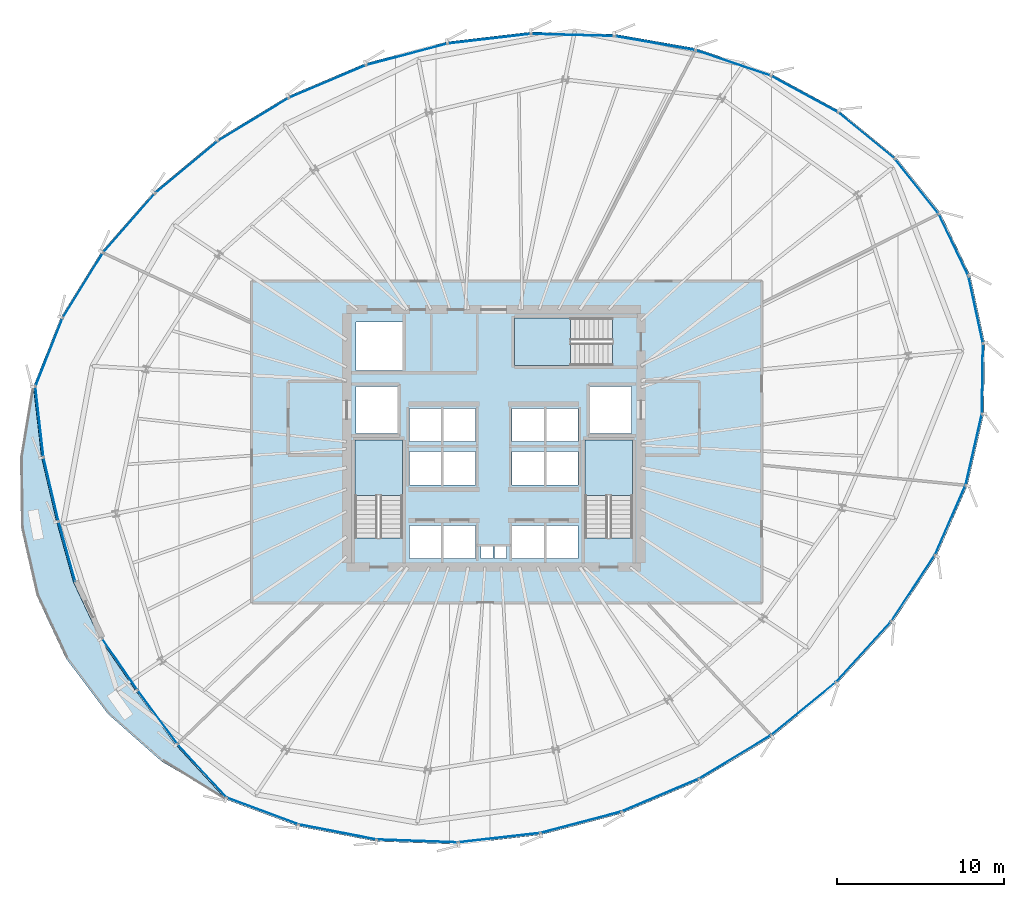
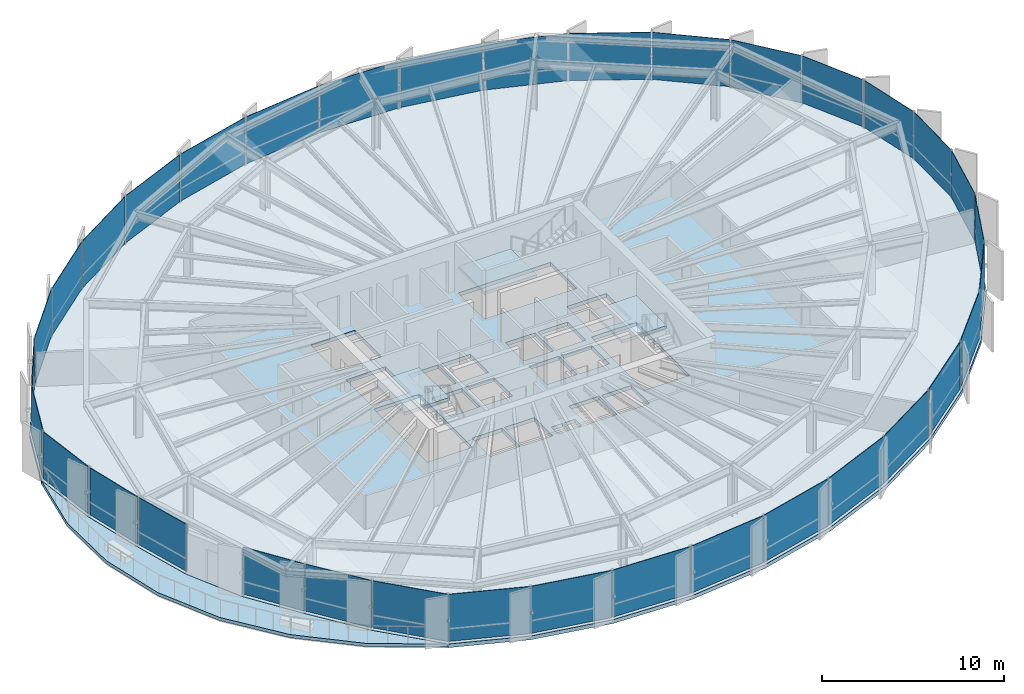
# One storey, part 26 of 33: 35 plates, 5 slabs, 9 elements without a shape of their own.
"""IFC4 building model written with IfcOpenShell, lengths in metres."""

from ifc_helpers import new_model, si_unit, direction, frame, origin, origin_2d, place, context, subcontext, project, spatial, polyline, rectangle, outline, extrude, source, transform, mapped, material, layer, layer_set, type_object, element, aggregate, save


model = new_model("IFC4")

# Units and contexts
model_context = context("Model", 3, precision=1e-05, world=origin(), true_north=direction((0.0, 1.0)))
body_context = subcontext(model_context, "Body", "Model", "MODEL_VIEW")
ifc_project = project(units=[si_unit("LENGTHUNIT", "METRE"), si_unit("AREAUNIT", "SQUARE_METRE"), si_unit("VOLUMEUNIT", "CUBIC_METRE"), si_unit("PLANEANGLEUNIT", "RADIAN"), si_unit("MASSUNIT", "GRAM", prefix="KILO"), si_unit("THERMODYNAMICTEMPERATUREUNIT", "KELVIN")], contexts=[model_context])

# Site, building, storey
site_placement = place(None, origin())
site = spatial("IfcSite", under=ifc_project, at=site_placement, CompositionType="ELEMENT")
building_placement = place(site_placement, origin())
building = spatial("IfcBuilding", under=site, at=building_placement, Name="Kethvar Cultural Tower", CompositionType="ELEMENT")
storey_placement = place(building_placement, frame((0.0, 0.0, 110.800048828125)))
storey = spatial("IfcBuildingStorey", under=building, at=storey_placement, Name="L27", CompositionType="ELEMENT", Elevation=110.800048828125)

# Stair, slab
ifc_material_1 = material(Name="Concrete C40/50", Category="concrete")
stair_type = type_object("IfcStairType", Name="ST-DOGLEG-135", PredefinedType="HALF_TURN_STAIR", material=ifc_material_1)
stair_1_placement = place(storey_placement, origin())
stair_1 = element("IfcStair", 1, at=stair_1_placement, inside=storey, type_object=stair_type, Name="L27 Core Exit Stair 1", PredefinedType="HALF_TURN_STAIR")
ifc_layer_1 = layer(ifc_material_1, 0.199951171875, Name="Concrete C40/50", Category="concrete")
ifc_layer_set_1 = layer_set([ifc_layer_1], Name="Concrete C40/50 (200 mm)")
slab_type_1 = type_object("IfcSlabType", Name="SL-STAIR-LANDING-200", PredefinedType="LANDING", material=ifc_layer_set_1)
slab_1_placement = place(storey_placement, frame((0.0, 0.0, 1.599853515625)))
slab_1 = element("IfcSlab", 2, at=slab_1_placement, type_object=slab_type_1, Name="ST-01 landing 1", PredefinedType="LANDING", context=body_context, shape_type="SweptSolid", body=[
    extrude(outline(polyline([(41.35009765625, 24.3701171875), (41.35009765625, 27.699951171875), (38.489990234375, 27.699951171875), (38.489990234375, 24.3701171875), (41.35009765625, 24.3701171875)])), origin(), (0.0, 0.0, 1.0), 0.2001953125),
])
aggregate(stair_1, [slab_1])

stair_2_placement = place(storey_placement, origin())
stair_2 = element("IfcStair", 3, at=stair_2_placement, inside=storey, type_object=stair_type, Name="L27 Core Exit Stair 2", PredefinedType="HALF_TURN_STAIR")
slab_2_placement = place(storey_placement, frame((0.0, 0.0, 1.599853515625)))
slab_2 = element("IfcSlab", 4, at=slab_2_placement, type_object=slab_type_1, Name="ST-02 landing 1", PredefinedType="LANDING", context=body_context, shape_type="SweptSolid", body=[
    extrude(outline(polyline([(55.110107421875, 24.3701171875), (55.110107421875, 27.699951171875), (52.25, 27.699951171875), (52.25, 24.3701171875), (55.110107421875, 24.3701171875)])), origin(), (0.0, 0.0, 1.0), 0.2001953125),
])
aggregate(stair_2, [slab_2])

stair_3_placement = place(storey_placement, origin())
stair_3 = element("IfcStair", 5, at=stair_3_placement, inside=storey, type_object=stair_type, Name="L27 Core Exit Stair 3", PredefinedType="HALF_TURN_STAIR")
slab_3_placement = place(storey_placement, frame((0.0, 0.0, 1.599853515625)))
slab_3 = element("IfcSlab", 6, at=slab_3_placement, type_object=slab_type_1, Name="ST-03 landing 1", PredefinedType="LANDING", context=body_context, shape_type="SweptSolid", body=[
    extrude(outline(polyline([(51.3798828125, 35.010009765625), (48.050048828125, 35.010009765625), (48.050048828125, 32.14990234375), (51.3798828125, 32.14990234375), (51.3798828125, 35.010009765625)])), origin(), (0.0, 0.0, 1.0), 0.2001953125),
])
aggregate(stair_3, [slab_3])

# Slabs
ifc_layer_2 = layer(ifc_material_1, 0.215087890625, Name="Concrete C40/50", Category="concrete")
ifc_layer_set_2 = layer_set([ifc_layer_2], Name="Concrete C40/50 (215 mm)")
slab_type_2 = type_object("IfcSlabType", Name="SL-TER-EXT", PredefinedType="FLOOR", material=ifc_layer_set_2)
slab_4_placement = place(storey_placement, frame((0.0, 0.0, -0.215087890625)))
element("IfcSlab", 7, at=slab_4_placement, inside=storey, type_object=slab_type_2, Name="L27 Spiralling Sky Terrace Deck", PredefinedType="FLOOR", context=body_context, shape_type="SweptSolid", body=[
    extrude(outline(polyline([(19.264892578125, 30.902099609375), (18.46240234375, 26.668701171875), (18.52099609375, 22.469482421875), (19.43896484375, 18.43212890625), (21.18798828125, 14.6796875), (23.715576171875, 11.32568359375), (26.9443359375, 8.472412109375), (30.7763671875, 6.2060546875), (27.7939453125, 9.4462890625), (25.398193359375, 12.683349609375), (23.245361328125, 15.815185546875), (21.662109375, 19.193359375), (20.656982421875, 22.803955078125), (19.754638671875, 26.643798828125), (19.264892578125, 30.902099609375)])), origin(), (0.0, 0.0, 1.0), 0.215087890625),
])
ifc_layer_3 = layer(ifc_material_1, 0.25, Name="Concrete C40/50", Category="concrete")
ifc_layer_set_3 = layer_set([ifc_layer_3], Name="Concrete C40/50 (250 mm)")
slab_type_3 = type_object("IfcSlabType", Name="SL-TOW-250", PredefinedType="FLOOR", material=ifc_layer_set_3)
slab_5_placement = place(storey_placement, frame((0.0, 0.0, -0.25)))
element("IfcSlab", 8, at=slab_5_placement, inside=storey, type_object=slab_type_3, Name="L27 Structural Floor Slab", PredefinedType="FLOOR", context=body_context, shape_type="SweptSolid", body=[
    extrude(outline(polyline([(75.29638671875, 37.556396484375), (73.504638671875, 41.29443359375), (70.856201171875, 44.607177734375), (67.447998046875, 47.39892578125), (63.40673828125, 49.593505859375), (58.880615234375, 51.132568359375), (54.030517578125, 51.9775390625), (49.019287109375, 52.10791015625), (44.002685546875, 51.520751953125), (39.12060546875, 50.22998046875), (34.486083984375, 48.262451171875), (30.2255859375, 45.67333984375), (26.46875, 42.541015625), (23.329833984375, 38.960693359375), (20.90380859375, 35.04150390625), (19.264892578125, 30.902099609375), (19.754638671875, 26.643798828125), (20.656982421875, 22.803955078125), (21.662109375, 19.193359375), (23.245361328125, 15.815185546875), (25.398193359375, 12.683349609375), (27.7939453125, 9.4462890625), (30.7763671875, 6.2060546875), (35.095458984375, 4.59619140625), (39.77001953125, 3.691162109375), (44.658203125, 3.518798828125), (49.611572265625, 4.083984375), (54.4794921875, 5.3701171875), (59.12841796875, 7.34228515625), (63.4521484375, 9.953369140625), (67.331787109375, 13.127685546875), (70.646240234375, 16.767822265625), (73.279296875, 20.758056640625), (75.127685546875, 24.968994140625), (76.109375, 29.26416015625), (76.171630859375, 33.504638671875), (75.29638671875, 37.556396484375)]), holes=[polyline([(38.489990234375, 21.85009765625), (38.489990234375, 27.699951171875), (41.35009765625, 27.699951171875), (41.35009765625, 21.85009765625), (38.489990234375, 21.85009765625)]), polyline([(52.25, 21.85009765625), (52.25, 27.699951171875), (55.110107421875, 27.699951171875), (55.110107421875, 21.85009765625), (52.25, 21.85009765625)]), polyline([(53.89990234375, 32.14990234375), (48.050048828125, 32.14990234375), (48.050048828125, 35.010009765625), (53.89990234375, 35.010009765625), (53.89990234375, 32.14990234375)]), polyline([(41.75, 22.60009765625), (43.64990234375, 22.60009765625), (43.64990234375, 20.60009765625), (41.75, 20.60009765625), (41.75, 22.60009765625)]), polyline([(43.800048828125, 22.60009765625), (45.699951171875, 22.60009765625), (45.699951171875, 20.60009765625), (43.800048828125, 20.60009765625), (43.800048828125, 22.60009765625)]), polyline([(47.89990234375, 22.60009765625), (49.800048828125, 22.60009765625), (49.800048828125, 20.60009765625), (47.89990234375, 20.60009765625), (47.89990234375, 22.60009765625)]), polyline([(49.949951171875, 22.60009765625), (51.85009765625, 22.60009765625), (51.85009765625, 20.60009765625), (49.949951171875, 20.60009765625), (49.949951171875, 22.60009765625)]), polyline([(41.75, 27.0), (43.64990234375, 27.0), (43.64990234375, 25.0), (41.75, 25.0), (41.75, 27.0)]), polyline([(43.800048828125, 27.0), (45.699951171875, 27.0), (45.699951171875, 25.0), (43.800048828125, 25.0), (43.800048828125, 27.0)]), polyline([(47.89990234375, 27.0), (49.800048828125, 27.0), (49.800048828125, 25.0), (47.89990234375, 25.0), (47.89990234375, 27.0)]), polyline([(49.949951171875, 27.0), (51.85009765625, 27.0), (51.85009765625, 25.0), (49.949951171875, 25.0), (49.949951171875, 27.0)]), polyline([(41.75, 29.60009765625), (43.64990234375, 29.60009765625), (43.64990234375, 27.60009765625), (41.75, 27.60009765625), (41.75, 29.60009765625)]), polyline([(43.800048828125, 29.60009765625), (45.699951171875, 29.60009765625), (45.699951171875, 27.60009765625), (43.800048828125, 27.60009765625), (43.800048828125, 29.60009765625)]), polyline([(47.89990234375, 29.60009765625), (49.800048828125, 29.60009765625), (49.800048828125, 27.60009765625), (47.89990234375, 27.60009765625), (47.89990234375, 29.60009765625)]), polyline([(49.949951171875, 29.60009765625), (51.85009765625, 29.60009765625), (51.85009765625, 27.60009765625), (49.949951171875, 27.60009765625), (49.949951171875, 29.60009765625)]), polyline([(38.550048828125, 30.89990234375), (41.050048828125, 30.89990234375), (41.050048828125, 28.10009765625), (38.550048828125, 28.10009765625), (38.550048828125, 30.89990234375)]), polyline([(52.550048828125, 30.89990234375), (55.050048828125, 30.89990234375), (55.050048828125, 28.10009765625), (52.550048828125, 28.10009765625), (52.550048828125, 30.89990234375)]), polyline([(38.550048828125, 34.75), (41.35009765625, 34.75), (41.35009765625, 31.85009765625), (38.550048828125, 31.85009765625), (38.550048828125, 34.75)]), polyline([(46.050048828125, 21.35009765625), (46.75, 21.35009765625), (46.75, 20.60009765625), (46.050048828125, 20.60009765625), (46.050048828125, 21.35009765625)]), polyline([(46.85009765625, 21.35009765625), (47.550048828125, 21.35009765625), (47.550048828125, 20.60009765625), (46.85009765625, 20.60009765625), (46.85009765625, 21.35009765625)])]), origin(), (0.0, 0.0, 1.0), 0.25),
])

# Curtain wall, plate
ifc_material_2 = material(Name="Aluminium 6063-T6", Category="aluminium")
ifc_layer_4 = layer(ifc_material_2, 0.179931640625, Name="Aluminium 6063-T6", Category="aluminium")
ifc_layer_set_4 = layer_set([ifc_layer_4], Name="Aluminium 6063-T6 (180 mm)")
curtain_wall_type = type_object("IfcCurtainWallType", Name="CW-SYS-03-Z2", PredefinedType="NOTDEFINED", material=ifc_layer_set_4)
curtain_wall_1_placement = place(storey_placement, origin())
curtain_wall_1 = element("IfcCurtainWall", 9, at=curtain_wall_1_placement, inside=storey, type_object=curtain_wall_type, Name="L27 Curtain Wall Run 02", PredefinedType="NOTDEFINED")
ifc_material_3 = material(Name="Insulated Low-E Solar Glass", Category="glass")
ifc_layer_5 = layer(ifc_material_3, 0.031982421875, Name="Insulated Low-E Solar Glass", Category="glass")
ifc_layer_set_5 = layer_set([ifc_layer_5], Name="Insulated Low-E Solar Glass (32 mm)")
plate_type = type_object("IfcPlateType", Name="CW-SYS-03-Z2-PNL", PredefinedType="CURTAIN_PANEL", material=ifc_layer_set_5)
shared_shape_1 = source(origin(), body_context, "Body", "SweptSolid", [
    extrude(rectangle(XDim=4.948486328125, YDim=0.031982421875, at=origin_2d()), origin(), (0.0, 0.0, 1.0), 3.14990234375),
])
plate_1_placement = place(storey_placement, frame((36.84814453125, 49.140380859375, 0.10009765625), z_axis=(0.0, 0.0, 1.0), x_axis=(-0.920484393557, -0.390779325475, 0.0)))
plate_1 = element("IfcPlate", 10, at=plate_1_placement, type_object=plate_type, Name="CW-L27-R02 Vision Glazing Panel 4", PredefinedType="CURTAIN_PANEL", context=body_context, shape_type="MappedRepresentation", body=[
    mapped(shared_shape_1, transform((0.0, 0.0, 0.0), scale=1.0)),
])

curtain_wall_2_placement = place(storey_placement, origin())
curtain_wall_2 = element("IfcCurtainWall", 11, at=curtain_wall_2_placement, inside=storey, type_object=curtain_wall_type, Name="L27 Curtain Wall Run 05", PredefinedType="NOTDEFINED")
plate_2_placement = place(storey_placement, frame((52.01611328125, 4.83837890625, 0.10009765625), z_axis=(0.0, 0.0, 1.0), x_axis=(0.966836762388, 0.255395134831, 0.0)))
plate_2 = element("IfcPlate", 12, at=plate_2_placement, type_object=plate_type, Name="CW-L27-R05 Vision Glazing Panel 2", PredefinedType="CURTAIN_PANEL", context=body_context, shape_type="MappedRepresentation", body=[
    mapped(shared_shape_1, transform((0.0, 0.0, 0.0), scale=1.0)),
])

curtain_wall_3_placement = place(storey_placement, origin())
curtain_wall_3 = element("IfcCurtainWall", 13, at=curtain_wall_3_placement, inside=storey, type_object=curtain_wall_type, Name="L27 Curtain Wall Run 01", PredefinedType="NOTDEFINED")
shared_shape_2 = source(origin(), body_context, "Body", "SweptSolid", [
    extrude(rectangle(XDim=4.058837890625, YDim=0.031982421875, at=origin_2d()), origin(), (0.0, 0.0, 1.0), 3.14990234375),
])
plate_3_placement = place(storey_placement, frame((74.296875, 39.375732421875, 0.10009765625), z_axis=(0.0, 0.0, 1.0), x_axis=(-0.432258880254, 0.901749555277, 0.0)))
plate_3 = element("IfcPlate", 14, at=plate_3_placement, type_object=plate_type, Name="CW-L27-R01 Vision Glazing Panel 1", PredefinedType="CURTAIN_PANEL", context=body_context, shape_type="MappedRepresentation", body=[
    mapped(shared_shape_2, transform((0.0, 0.0, 0.0), scale=1.0)),
])

curtain_wall_4_placement = place(storey_placement, origin())
curtain_wall_4 = element("IfcCurtainWall", 15, at=curtain_wall_4_placement, inside=storey, type_object=curtain_wall_type, Name="L27 Curtain Wall Run 06", PredefinedType="NOTDEFINED")
plate_4_placement = place(storey_placement, frame((75.62158203125, 35.50634765625, 0.10009765625), z_axis=(0.0, 0.0, 1.0), x_axis=(-0.211137142181, 0.977456447721, 0.0)))
plate_4 = element("IfcPlate", 16, at=plate_4_placement, type_object=plate_type, Name="CW-L27-R06 Vision Glazing Panel 5", PredefinedType="CURTAIN_PANEL", context=body_context, shape_type="MappedRepresentation", body=[
    mapped(shared_shape_2, transform((0.0, 0.0, 0.0), scale=1.0)),
])

# Plate
shared_shape_3 = source(origin(), body_context, "Body", "SweptSolid", [
    extrude(rectangle(XDim=4.154541015625, YDim=0.031982421875, at=origin_2d()), origin(), (0.0, 0.0, 1.0), 3.14990234375),
])
plate_5_placement = place(storey_placement, frame((72.090576171875, 42.87890625, 0.10009765625), z_axis=(0.0, 0.0, 1.0), x_axis=(-0.624438681251, 0.781073833486, 0.0)))
plate_5 = element("IfcPlate", 17, at=plate_5_placement, type_object=plate_type, Name="CW-L27-R01 Vision Glazing Panel 2", PredefinedType="CURTAIN_PANEL", context=body_context, shape_type="MappedRepresentation", body=[
    mapped(shared_shape_3, transform((0.0, 0.0, 0.0), scale=1.0)),
])

plate_6_placement = place(storey_placement, frame((76.025390625, 31.385986328125, 0.10009765625), z_axis=(0.0, 0.0, 1.0), x_axis=(0.01466024053, 0.999892532899, 0.0)))
plate_6 = element("IfcPlate", 18, at=plate_6_placement, type_object=plate_type, Name="CW-L27-R06 Vision Glazing Panel 4", PredefinedType="CURTAIN_PANEL", context=body_context, shape_type="MappedRepresentation", body=[
    mapped(shared_shape_3, transform((0.0, 0.0, 0.0), scale=1.0)),
])

shared_shape_4 = source(origin(), body_context, "Body", "SweptSolid", [
    extrude(rectangle(XDim=4.3193359375, YDim=0.031982421875, at=origin_2d()), origin(), (0.0, 0.0, 1.0), 3.14990234375),
])
plate_7_placement = place(storey_placement, frame((69.079345703125, 45.9140625, 0.10009765625), z_axis=(0.0, 0.0, 1.0), x_axis=(-0.773585892006, 0.633691460956, 0.0)))
plate_7 = element("IfcPlate", 19, at=plate_7_placement, type_object=plate_type, Name="CW-L27-R01 Vision Glazing Panel 3", PredefinedType="CURTAIN_PANEL", context=body_context, shape_type="MappedRepresentation", body=[
    mapped(shared_shape_4, transform((0.0, 0.0, 0.0), scale=1.0)),
])

plate_8_placement = place(storey_placement, frame((75.50634765625, 27.14208984375, 0.10009765625), z_axis=(0.0, 0.0, 1.0), x_axis=(0.222841789423, 0.974854623463, 0.0)))
plate_8 = element("IfcPlate", 20, at=plate_8_placement, type_object=plate_type, Name="CW-L27-R06 Vision Glazing Panel 3", PredefinedType="CURTAIN_PANEL", context=body_context, shape_type="MappedRepresentation", body=[
    mapped(shared_shape_4, transform((0.0, 0.0, 0.0), scale=1.0)),
])

shared_shape_5 = source(origin(), body_context, "Body", "SweptSolid", [
    extrude(rectangle(XDim=4.512451171875, YDim=0.031982421875, at=origin_2d()), origin(), (0.0, 0.0, 1.0), 3.14990234375),
])
plate_9_placement = place(storey_placement, frame((65.37255859375, 48.395263671875, 0.10009765625), z_axis=(0.0, 0.0, 1.0), x_axis=(-0.878800456144, 0.477189436473, 0.0)))
plate_9 = element("IfcPlate", 21, at=plate_9_placement, type_object=plate_type, Name="CW-L27-R01 Vision Glazing Panel 4", PredefinedType="CURTAIN_PANEL", context=body_context, shape_type="MappedRepresentation", body=[
    mapped(shared_shape_5, transform((0.0, 0.0, 0.0), scale=1.0)),
])

plate_10_placement = place(storey_placement, frame((74.09814453125, 22.909912109375, 0.10009765625), z_axis=(0.0, 0.0, 1.0), x_axis=(0.401931795268, 0.915669608512, 0.0)))
plate_10 = element("IfcPlate", 22, at=plate_10_placement, type_object=plate_type, Name="CW-L27-R06 Vision Glazing Panel 2", PredefinedType="CURTAIN_PANEL", context=body_context, shape_type="MappedRepresentation", body=[
    mapped(shared_shape_5, transform((0.0, 0.0, 0.0), scale=1.0)),
])

shared_shape_6 = source(origin(), body_context, "Body", "SweptSolid", [
    extrude(rectangle(XDim=4.694091796875, YDim=0.031982421875, at=origin_2d()), origin(), (0.0, 0.0, 1.0), 3.14990234375),
])
plate_11_placement = place(storey_placement, frame((61.106689453125, 50.254150390625, 0.10009765625), z_axis=(0.0, 0.0, 1.0), x_axis=(-0.946756075415, 0.321951756734, 0.0)))
plate_11 = element("IfcPlate", 23, at=plate_11_placement, type_object=plate_type, Name="CW-L27-R01 Vision Glazing Panel 5", PredefinedType="CURTAIN_PANEL", context=body_context, shape_type="MappedRepresentation", body=[
    mapped(shared_shape_6, transform((0.0, 0.0, 0.0), scale=1.0)),
])

plate_12_placement = place(storey_placement, frame((71.86669921875, 18.826416015625, 0.10009765625), z_axis=(0.0, 0.0, 1.0), x_axis=(0.550742988107, 0.834674883443, 0.0)))
plate_12 = element("IfcPlate", 24, at=plate_12_placement, type_object=plate_type, Name="CW-L27-R06 Vision Glazing Panel 1", PredefinedType="CURTAIN_PANEL", context=body_context, shape_type="MappedRepresentation", body=[
    mapped(shared_shape_6, transform((0.0, 0.0, 0.0), scale=1.0)),
])

aggregate(curtain_wall_4, [plate_12, plate_10, plate_8, plate_6, plate_4])

shared_shape_7 = source(origin(), body_context, "Body", "SweptSolid", [
    extrude(rectangle(XDim=4.836669921875, YDim=0.031982421875, at=origin_2d()), origin(), (0.0, 0.0, 1.0), 3.14990234375),
])
plate_13_placement = place(storey_placement, frame((56.435791015625, 51.441650390625, 0.10009765625), z_axis=(0.0, 0.0, 1.0), x_axis=(-0.985163290661, 0.171619610578, 0.0)))
plate_13 = element("IfcPlate", 25, at=plate_13_placement, type_object=plate_type, Name="CW-L27-R01 Vision Glazing Panel 6", PredefinedType="CURTAIN_PANEL", context=body_context, shape_type="MappedRepresentation", body=[
    mapped(shared_shape_7, transform((0.0, 0.0, 0.0), scale=1.0)),
])

aggregate(curtain_wall_3, [plate_3, plate_5, plate_7, plate_9, plate_11, plate_13])

plate_14_placement = place(storey_placement, frame((68.904052734375, 15.025146484375, 0.10009765625), z_axis=(0.0, 0.0, 1.0), x_axis=(0.673244842256, 0.739419625366, 0.0)))
plate_14 = element("IfcPlate", 26, at=plate_14_placement, type_object=plate_type, Name="CW-L27-R05 Vision Glazing Panel 6", PredefinedType="CURTAIN_PANEL", context=body_context, shape_type="MappedRepresentation", body=[
    mapped(shared_shape_7, transform((0.0, 0.0, 0.0), scale=1.0)),
])

shared_shape_8 = source(origin(), body_context, "Body", "SweptSolid", [
    extrude(rectangle(XDim=4.926513671875, YDim=0.031982421875, at=origin_2d()), origin(), (0.0, 0.0, 1.0), 3.14990234375),
])
plate_15_placement = place(storey_placement, frame((51.52197265625, 51.927734375, 0.10009765625), z_axis=(0.0, 0.0, 1.0), x_axis=(-0.999662332166, 0.025985027398, 0.0)))
plate_15 = element("IfcPlate", 27, at=plate_15_placement, type_object=plate_type, Name="CW-L27-R02 Vision Glazing Panel 1", PredefinedType="CURTAIN_PANEL", context=body_context, shape_type="MappedRepresentation", body=[
    mapped(shared_shape_8, transform((0.0, 0.0, 0.0), scale=1.0)),
])

plate_16_placement = place(storey_placement, frame((65.319091796875, 11.62939453125, 0.10009765625), z_axis=(0.0, 0.0, 1.0), x_axis=(0.773950743756, 0.633245802386, 0.0)))
plate_16 = element("IfcPlate", 28, at=plate_16_placement, type_object=plate_type, Name="CW-L27-R05 Vision Glazing Panel 5", PredefinedType="CURTAIN_PANEL", context=body_context, shape_type="MappedRepresentation", body=[
    mapped(shared_shape_8, transform((0.0, 0.0, 0.0), scale=1.0)),
])

shared_shape_9 = source(origin(), body_context, "Body", "SweptSolid", [
    extrude(rectangle(XDim=4.964599609375, YDim=0.031982421875, at=origin_2d()), origin(), (0.0, 0.0, 1.0), 3.14990234375),
])
plate_17_placement = place(storey_placement, frame((46.5244140625, 51.7001953125, 0.10009765625), z_axis=(0.0, 0.0, 1.0), x_axis=(-0.99322349078, -0.116220038558, 0.0)))
plate_17 = element("IfcPlate", 29, at=plate_17_placement, type_object=plate_type, Name="CW-L27-R02 Vision Glazing Panel 2", PredefinedType="CURTAIN_PANEL", context=body_context, shape_type="MappedRepresentation", body=[
    mapped(shared_shape_9, transform((0.0, 0.0, 0.0), scale=1.0)),
])

plate_18_placement = place(storey_placement, frame((61.230712890625, 8.746337890625, 0.10009765625), z_axis=(0.0, 0.0, 1.0), x_axis=(0.856041622915, 0.516906896682, 0.0)))
plate_18 = element("IfcPlate", 30, at=plate_18_placement, type_object=plate_type, Name="CW-L27-R05 Vision Glazing Panel 4", PredefinedType="CURTAIN_PANEL", context=body_context, shape_type="MappedRepresentation", body=[
    mapped(shared_shape_9, transform((0.0, 0.0, 0.0), scale=1.0)),
])

shared_shape_10 = source(origin(), body_context, "Body", "SweptSolid", [
    extrude(rectangle(XDim=4.96337890625, YDim=0.031982421875, at=origin_2d()), origin(), (0.0, 0.0, 1.0), 3.14990234375),
])
plate_19_placement = place(storey_placement, frame((41.591064453125, 50.764404296875, 0.10009765625), z_axis=(0.0, 0.0, 1.0), x_axis=(-0.966778790184, -0.255614496558, 0.0)))
plate_19 = element("IfcPlate", 31, at=plate_19_placement, type_object=plate_type, Name="CW-L27-R02 Vision Glazing Panel 3", PredefinedType="CURTAIN_PANEL", context=body_context, shape_type="MappedRepresentation", body=[
    mapped(shared_shape_10, transform((0.0, 0.0, 0.0), scale=1.0)),
])

plate_20_placement = place(storey_placement, frame((56.759033203125, 6.4619140625, 0.10009765625), z_axis=(0.0, 0.0, 1.0), x_axis=(0.920566217998, 0.390586531105, 0.0)))
plate_20 = element("IfcPlate", 32, at=plate_20_placement, type_object=plate_type, Name="CW-L27-R05 Vision Glazing Panel 3", PredefinedType="CURTAIN_PANEL", context=body_context, shape_type="MappedRepresentation", body=[
    mapped(shared_shape_10, transform((0.0, 0.0, 0.0), scale=1.0)),
])

shared_shape_11 = source(origin(), body_context, "Body", "SweptSolid", [
    extrude(rectangle(XDim=4.899169921875, YDim=0.031982421875, at=origin_2d()), origin(), (0.0, 0.0, 1.0), 3.14990234375),
])
plate_21_placement = place(storey_placement, frame((32.41552734375, 46.86962890625, 0.10009765625), z_axis=(0.0, 0.0, 1.0), x_axis=(-0.854558554894, -0.519355057987, 0.0)))
plate_21 = element("IfcPlate", 33, at=plate_21_placement, type_object=plate_type, Name="CW-L27-R02 Vision Glazing Panel 5", PredefinedType="CURTAIN_PANEL", context=body_context, shape_type="MappedRepresentation", body=[
    mapped(shared_shape_11, transform((0.0, 0.0, 0.0), scale=1.0)),
])

shared_shape_12 = source(origin(), body_context, "Body", "SweptSolid", [
    extrude(rectangle(XDim=4.804931640625, YDim=0.031982421875, at=origin_2d()), origin(), (0.0, 0.0, 1.0), 3.14990234375),
])
plate_22_placement = place(storey_placement, frame((28.4208984375, 44.018798828125, 0.10009765625), z_axis=(0.0, 0.0, 1.0), x_axis=(-0.768060036355, -0.640377842023, 0.0)))
plate_22 = element("IfcPlate", 34, at=plate_22_placement, type_object=plate_type, Name="CW-L27-R02 Vision Glazing Panel 6", PredefinedType="CURTAIN_PANEL", context=body_context, shape_type="MappedRepresentation", body=[
    mapped(shared_shape_12, transform((0.0, 0.0, 0.0), scale=1.0)),
])

aggregate(curtain_wall_1, [plate_15, plate_17, plate_19, plate_1, plate_21, plate_22])

# Curtain wall, plate
curtain_wall_5_placement = place(storey_placement, origin())
curtain_wall_5 = element("IfcCurtainWall", 35, at=curtain_wall_5_placement, inside=storey, type_object=curtain_wall_type, Name="L27 Curtain Wall Run 04", PredefinedType="NOTDEFINED")
plate_23_placement = place(storey_placement, frame((42.21826171875, 3.719970703125, 0.10009765625), z_axis=(0.0, 0.0, 1.0), x_axis=(0.99937858391, -0.035248347778, 0.0)))
plate_23 = element("IfcPlate", 36, at=plate_23_placement, type_object=plate_type, Name="CW-L27-R04 Vision Glazing Panel 6", PredefinedType="CURTAIN_PANEL", context=body_context, shape_type="MappedRepresentation", body=[
    mapped(shared_shape_12, transform((0.0, 0.0, 0.0), scale=1.0)),
])

curtain_wall_6_placement = place(storey_placement, origin())
curtain_wall_6 = element("IfcCurtainWall", 37, at=curtain_wall_6_placement, inside=storey, type_object=curtain_wall_type, Name="L27 Curtain Wall Run 03", PredefinedType="NOTDEFINED")
shared_shape_13 = source(origin(), body_context, "Body", "SweptSolid", [
    extrude(rectangle(XDim=4.675048828125, YDim=0.031982421875, at=origin_2d()), origin(), (0.0, 0.0, 1.0), 3.14990234375),
])
plate_24_placement = place(storey_placement, frame((24.98583984375, 40.675048828125, 0.10009765625), z_axis=(0.0, 0.0, 1.0), x_axis=(-0.659253955619, -0.751920356155, 0.0)))
plate_24 = element("IfcPlate", 38, at=plate_24_placement, type_object=plate_type, Name="CW-L27-R03 Vision Glazing Panel 1", PredefinedType="CURTAIN_PANEL", context=body_context, shape_type="MappedRepresentation", body=[
    mapped(shared_shape_13, transform((0.0, 0.0, 0.0), scale=1.0)),
])

# Plate
plate_25_placement = place(storey_placement, frame((37.45458984375, 4.256591796875, 0.10009765625), z_axis=(0.0, 0.0, 1.0), x_axis=(0.981770107534, -0.190072238776, 0.0)))
plate_25 = element("IfcPlate", 39, at=plate_25_placement, type_object=plate_type, Name="CW-L27-R04 Vision Glazing Panel 5", PredefinedType="CURTAIN_PANEL", context=body_context, shape_type="MappedRepresentation", body=[
    mapped(shared_shape_13, transform((0.0, 0.0, 0.0), scale=1.0)),
])

shared_shape_14 = source(origin(), body_context, "Body", "SweptSolid", [
    extrude(rectangle(XDim=4.52294921875, YDim=0.031982421875, at=origin_2d()), origin(), (0.0, 0.0, 1.0), 3.14990234375),
])
plate_26_placement = place(storey_placement, frame((22.214599609375, 36.940673828125, 0.10009765625), z_axis=(0.0, 0.0, 1.0), x_axis=(-0.526302969443, -0.85029711534, 0.0)))
plate_26 = element("IfcPlate", 40, at=plate_26_placement, type_object=plate_type, Name="CW-L27-R03 Vision Glazing Panel 2", PredefinedType="CURTAIN_PANEL", context=body_context, shape_type="MappedRepresentation", body=[
    mapped(shared_shape_14, transform((0.0, 0.0, 0.0), scale=1.0)),
])

plate_27_placement = place(storey_placement, frame((32.97607421875, 5.5087890625, 0.10009765625), z_axis=(0.0, 0.0, 1.0), x_axis=(0.937020125174, -0.349275371331, 0.0)))
plate_27 = element("IfcPlate", 41, at=plate_27_placement, type_object=plate_type, Name="CW-L27-R04 Vision Glazing Panel 4", PredefinedType="CURTAIN_PANEL", context=body_context, shape_type="MappedRepresentation", body=[
    mapped(shared_shape_14, transform((0.0, 0.0, 0.0), scale=1.0)),
])

shared_shape_15 = source(origin(), body_context, "Body", "SweptSolid", [
    extrude(rectangle(XDim=4.365478515625, YDim=0.031982421875, at=origin_2d()), origin(), (0.0, 0.0, 1.0), 3.14990234375),
])
plate_28_placement = place(storey_placement, frame((20.19140625, 32.929443359375, 0.10009765625), z_axis=(0.0, 0.0, 1.0), x_axis=(-0.368173235163, -0.929757209657, 0.0)))
plate_28 = element("IfcPlate", 42, at=plate_28_placement, type_object=plate_type, Name="CW-L27-R03 Vision Glazing Panel 3", PredefinedType="CURTAIN_PANEL", context=body_context, shape_type="MappedRepresentation", body=[
    mapped(shared_shape_15, transform((0.0, 0.0, 0.0), scale=1.0)),
])

shared_shape_16 = source(origin(), body_context, "Body", "SweptSolid", [
    extrude(rectangle(XDim=4.199951171875, YDim=0.031982421875, at=origin_2d()), origin(), (0.0, 0.0, 1.0), 3.14990234375),
])
plate_29_placement = place(storey_placement, frame((19.6240234375, 28.7861328125, 0.10009765625), z_axis=(0.0, 0.0, 1.0), x_axis=(0.11429563443, -0.99344678164, 0.0)))
plate_29 = element("IfcPlate", 43, at=plate_29_placement, type_object=plate_type, Name="CW-L27-R03 Vision Glazing Panel 4", PredefinedType="CURTAIN_PANEL", context=body_context, shape_type="MappedRepresentation", body=[
    mapped(shared_shape_16, transform((0.0, 0.0, 0.0), scale=1.0)),
])

shared_shape_17 = source(origin(), body_context, "Body", "SweptSolid", [
    extrude(rectangle(XDim=3.858154296875, YDim=0.031982421875, at=origin_2d()), origin(), (0.0, 0.0, 1.0), 3.14990234375),
])
plate_30_placement = place(storey_placement, frame((20.31787109375, 24.750244140625, 0.10009765625), z_axis=(0.0, 0.0, 1.0), x_axis=(0.228741671321, -0.973487158519, 0.0)))
plate_30 = element("IfcPlate", 44, at=plate_30_placement, type_object=plate_type, Name="CW-L27-R03 Vision Glazing Panel 5", PredefinedType="CURTAIN_PANEL", context=body_context, shape_type="MappedRepresentation", body=[
    mapped(shared_shape_17, transform((0.0, 0.0, 0.0), scale=1.0)),
])

shared_shape_18 = source(origin(), body_context, "Body", "SweptSolid", [
    extrude(rectangle(XDim=3.661376953125, YDim=0.031982421875, at=origin_2d()), origin(), (0.0, 0.0, 1.0), 3.14990234375),
])
plate_31_placement = place(storey_placement, frame((21.2705078125, 21.029541015625, 0.10009765625), z_axis=(0.0, 0.0, 1.0), x_axis=(0.26821371339, -0.963359436529, 0.0)))
plate_31 = element("IfcPlate", 45, at=plate_31_placement, type_object=plate_type, Name="CW-L27-R03 Vision Glazing Panel 6", PredefinedType="CURTAIN_PANEL", context=body_context, shape_type="MappedRepresentation", body=[
    mapped(shared_shape_18, transform((0.0, 0.0, 0.0), scale=1.0)),
])

aggregate(curtain_wall_6, [plate_24, plate_26, plate_28, plate_29, plate_30, plate_31])

shared_shape_19 = source(origin(), body_context, "Body", "SweptSolid", [
    extrude(rectangle(XDim=3.714111328125, YDim=0.031982421875, at=origin_2d()), origin(), (0.0, 0.0, 1.0), 3.14990234375),
])
plate_32_placement = place(storey_placement, frame((24.41650390625, 14.314453125, 0.10009765625), z_axis=(0.0, 0.0, 1.0), x_axis=(0.566435004011, -0.824106416812, 0.0)))
plate_32 = element("IfcPlate", 46, at=plate_32_placement, type_object=plate_type, Name="CW-L27-R04 Vision Glazing Panel 1", PredefinedType="CURTAIN_PANEL", context=body_context, shape_type="MappedRepresentation", body=[
    mapped(shared_shape_19, transform((0.0, 0.0, 0.0), scale=1.0)),
])

shared_shape_20 = source(origin(), body_context, "Body", "SweptSolid", [
    extrude(rectangle(XDim=3.94091796875, YDim=0.031982421875, at=origin_2d()), origin(), (0.0, 0.0, 1.0), 3.14990234375),
])
plate_33_placement = place(storey_placement, frame((26.6884765625, 11.13330078125, 0.10009765625), z_axis=(0.0, 0.0, 1.0), x_axis=(0.594920991954, -0.803784183305, 0.0)))
plate_33 = element("IfcPlate", 47, at=plate_33_placement, type_object=plate_type, Name="CW-L27-R04 Vision Glazing Panel 2", PredefinedType="CURTAIN_PANEL", context=body_context, shape_type="MappedRepresentation", body=[
    mapped(shared_shape_20, transform((0.0, 0.0, 0.0), scale=1.0)),
])

shared_shape_21 = source(origin(), body_context, "Body", "SweptSolid", [
    extrude(rectangle(XDim=4.3173828125, YDim=0.031982421875, at=origin_2d()), origin(), (0.0, 0.0, 1.0), 3.14990234375),
])
plate_34_placement = place(storey_placement, frame((29.369873046875, 7.904052734375, 0.10009765625), z_axis=(0.0, 0.0, 1.0), x_axis=(0.677235613741, -0.735766215235, 0.0)))
plate_34 = element("IfcPlate", 48, at=plate_34_placement, type_object=plate_type, Name="CW-L27-R04 Vision Glazing Panel 3", PredefinedType="CURTAIN_PANEL", context=body_context, shape_type="MappedRepresentation", body=[
    mapped(shared_shape_21, transform((0.0, 0.0, 0.0), scale=1.0)),
])

aggregate(curtain_wall_5, [plate_32, plate_33, plate_34, plate_27, plate_25, plate_23])

shared_shape_22 = source(origin(), body_context, "Body", "SweptSolid", [
    extrude(rectangle(XDim=4.89892578125, YDim=0.031982421875, at=origin_2d()), origin(), (0.0, 0.0, 1.0), 3.14990234375),
])
plate_35_placement = place(storey_placement, frame((47.121826171875, 3.915771484375, 0.10009765625), z_axis=(0.0, 0.0, 1.0), x_axis=(0.993550103909, 0.113393963783, 0.0)))
plate_35 = element("IfcPlate", 49, at=plate_35_placement, type_object=plate_type, Name="CW-L27-R05 Vision Glazing Panel 1", PredefinedType="CURTAIN_PANEL", context=body_context, shape_type="MappedRepresentation", body=[
    mapped(shared_shape_22, transform((0.0, 0.0, 0.0), scale=1.0)),
])

aggregate(curtain_wall_2, [plate_35, plate_2, plate_20, plate_18, plate_16, plate_14])

save(model, "model.ifc")
